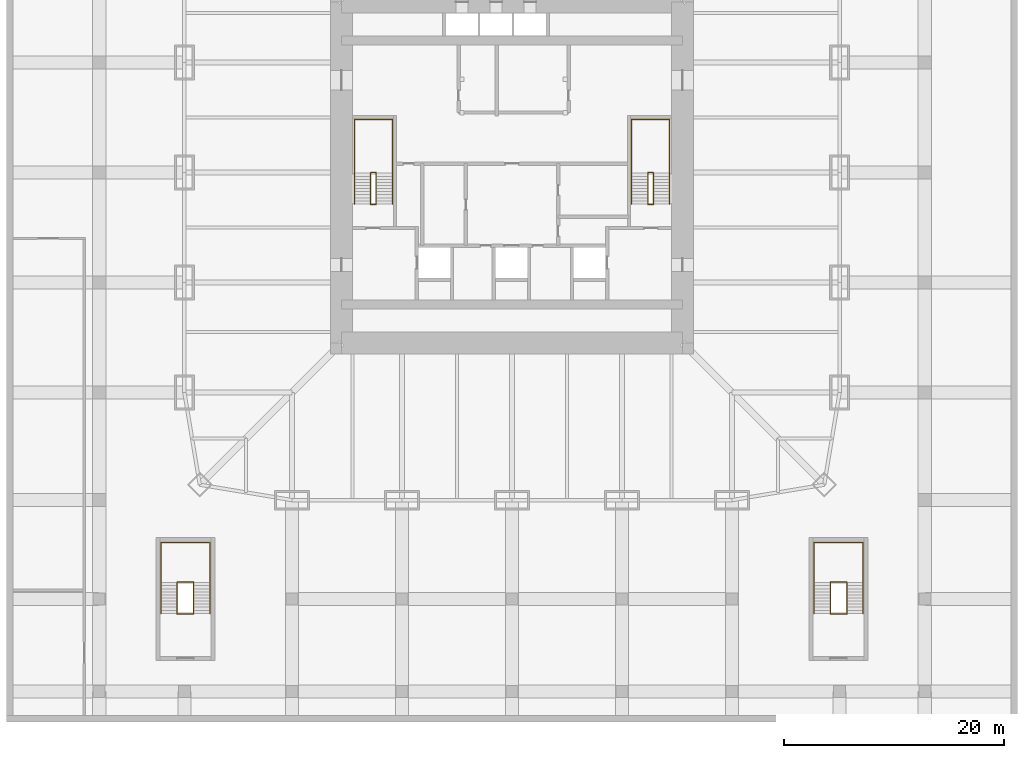
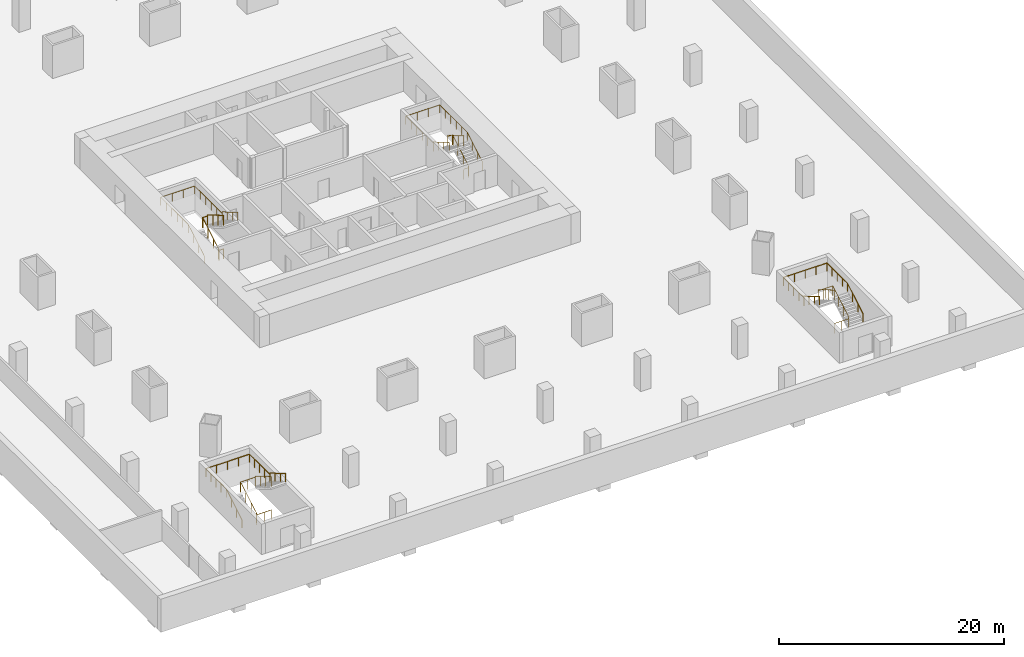
# One storey, part 10 of 11: 8 railings.
"""IFC4 building model written with IfcOpenShell, lengths in metres."""

import ifcopenshell
import ifcopenshell.guid

model = None  # the IFC model being written
_history = None  # IfcOwnerHistory: only IFC2X3 demands one
_inside = {}  # id of a spatial element -> (the spatial element, [elements in it])
_under = {}  # id of a project, library or spatial element -> (it, [spatial elements below it])
_declared = {}  # id of a project -> (the project, [libraries it declares])
_typed = {}  # id of a type object -> (the type object, [elements of that type])
_made_of = {}  # id of a material, layer set ... -> (it, [elements and type objects made of it])


def new_model(schema):
    """Start an empty IFC model of exactly this schema.

    Asked for "IFC4X3", IfcOpenShell would pick the latest addendum, in which some entities
    have other attributes; the version numbers below select the first issue.
    IFC2X3 requires an IfcOwnerHistory on every rooted entity: one is made here for all.
    """
    global model, _history
    if schema == "IFC4X3":
        model = ifcopenshell.file(schema_version=(4, 3, 0, 0))
    else:
        model = ifcopenshell.file(schema=schema)
    _inside.clear()
    _under.clear()
    _declared.clear()
    _typed.clear()
    _made_of.clear()
    _history = None
    if model.schema == "IFC2X3":
        org = make("IfcOrganization", Name="unknown")
        user = make(
            "IfcPersonAndOrganization",
            ThePerson=make("IfcPerson", FamilyName="unknown"),
            TheOrganization=org,
        )
        app = make(
            "IfcApplication",
            ApplicationDeveloper=org,
            Version="unknown",
            ApplicationFullName="unknown",
            ApplicationIdentifier="unknown",
        )
        _history = make(
            "IfcOwnerHistory",
            OwningUser=user,
            OwningApplication=app,
            ChangeAction="ADDED",
            CreationDate=0,
        )
    return model


def make(cls, **values):
    """One entity of the class cls with the attributes given. An attribute that is None is left unset."""
    return model.create_entity(
        cls, **{name: value for name, value in values.items() if value is not None}
    )


def rooted(cls, **values):
    """An entity with a GlobalId (a new one), such as an element, a storey or a relation."""
    return make(cls, GlobalId=ifcopenshell.guid.new(), OwnerHistory=_history, **values)


def si_unit(unit_type, name, prefix=None):
    """IfcSIUnit, for example si_unit("LENGTHUNIT", "METRE", prefix="MILLI")."""
    return make("IfcSIUnit", UnitType=unit_type, Prefix=prefix, Name=name)


def assignment(units):
    """IfcUnitAssignment: the units of a project."""
    return None if units is None else make("IfcUnitAssignment", Units=units)


def point(xyz):
    """IfcCartesianPoint."""
    return None if xyz is None else make("IfcCartesianPoint", Coordinates=xyz)


def direction(xyz):
    """IfcDirection."""
    return None if xyz is None else make("IfcDirection", DirectionRatios=xyz)


def frame(location, z_axis=None, x_axis=None):
    """IfcAxis2Placement3D, a coordinate frame: its origin and axes. An axis left out is left unset."""
    return make(
        "IfcAxis2Placement3D",
        Location=point(location),
        Axis=direction(z_axis),
        RefDirection=direction(x_axis),
    )


def frame_2d(location, x_axis=None):
    """IfcAxis2Placement2D, a coordinate frame in the plane: its origin and x axis."""
    return make(
        "IfcAxis2Placement2D", Location=point(location), RefDirection=direction(x_axis)
    )


def origin():
    """The frame at (0, 0, 0) with its axes left unset."""
    return frame((0.0, 0.0, 0.0))


def origin_2d():
    """The frame at (0, 0) in the plane with its x axis left unset."""
    return frame_2d((0.0, 0.0))


def place(relative_to, where):
    """IfcLocalPlacement: puts the frame where relative to a parent placement (None: the world)."""
    return make(
        "IfcLocalPlacement", PlacementRelTo=relative_to, RelativePlacement=where
    )


def context(
    kind, dimensions, precision=None, world=None, true_north=None, identifier=None
):
    """IfcGeometricRepresentationContext, for example the 3D "Model" context."""
    return make(
        "IfcGeometricRepresentationContext",
        ContextIdentifier=identifier,
        ContextType=kind,
        CoordinateSpaceDimension=dimensions,
        Precision=precision,
        WorldCoordinateSystem=world,
        TrueNorth=true_north,
    )


def subcontext(parent, identifier, kind, view, scale=None):
    """IfcGeometricRepresentationSubContext, for example "Body" below "Model"."""
    return make(
        "IfcGeometricRepresentationSubContext",
        ContextIdentifier=identifier,
        ContextType=kind,
        ParentContext=parent,
        TargetScale=scale,
        TargetView=view,
    )


def project(units=None, contexts=None):
    """IfcProject with its units and contexts."""
    return rooted(
        "IfcProject",
        Name="project",
        RepresentationContexts=contexts,
        UnitsInContext=assignment(units),
    )


def spatial(cls, under=None, at=None, **own):
    """A site, building, storey or space (cls), placed at a placement, below another one or the project."""
    s = rooted(cls, ObjectPlacement=at, **own)
    if under is not None:
        _under.setdefault(under.id(), (under, []))[1].append(s)
    return s


def profile(cls, at=None, kind="AREA", **sizes):
    """A parametric profile (cls). Its sizes go by their IFC names, for example OverallWidth=200.0."""
    return make(cls, ProfileType=kind, Position=at, **sizes)


def circle(**sizes):
    """IfcCircleProfileDef."""
    return profile("IfcCircleProfileDef", **sizes)


def extrude(swept, where, along, depth):
    """IfcExtrudedAreaSolid: the profile swept, set in the frame where, extruded along a direction by depth."""
    return make(
        "IfcExtrudedAreaSolid",
        SweptArea=swept,
        Position=where,
        ExtrudedDirection=direction(along),
        Depth=depth,
    )


def shape(context_of_items, identifier, shape_type, items):
    """IfcShapeRepresentation: the items that make up one representation, for example the "Body"."""
    return make(
        "IfcShapeRepresentation",
        ContextOfItems=context_of_items,
        RepresentationIdentifier=identifier,
        RepresentationType=shape_type,
        Items=items,
    )


def material(Name=None, Category=None):
    """IfcMaterial."""
    return make("IfcMaterial", Name=Name, Category=Category)


def made_of(thing, what):
    """Note that an element or type object is made of a material, layer set ...; save() writes the relation."""
    if what is not None:
        _made_of.setdefault(what.id(), (what, []))[1].append(thing)
    return thing


def type_object(cls, material=None, **own):
    """A type object (cls), such as IfcWallType, which elements share."""
    return made_of(rooted(cls, **own), material)


def element(
    cls,
    number,
    at=None,
    inside=None,
    cuts=None,
    type_object=None,
    material=None,
    context=None,
    identifier="Body",
    shape_type=None,
    held_by="IfcProductDefinitionShape",
    body=None,
    shapes=None,
    **own,
):
    """One element of the class cls, such as IfcWall. Its Tag is "e" and its number.

    at: its placement. inside: the storey or other place that contains it. cuts: it is an
    opening in that element (IfcRelVoidsElement). A single representation is given by context,
    identifier, shape_type and body (its items); several are given by shapes. held_by: the class
    of the entity that holds the representations. save() writes the other relations.
    """
    e = rooted(cls, Tag="e%d" % number, ObjectPlacement=at, **own)
    if body is not None:
        shapes = [shape(context, identifier, shape_type, body)]
    if shapes is not None:
        e.Representation = make(held_by, Representations=shapes)
    if inside is not None:
        _inside.setdefault(inside.id(), (inside, []))[1].append(e)
    if cuts is not None:
        rooted(
            "IfcRelVoidsElement", RelatingBuildingElement=cuts, RelatedOpeningElement=e
        )
    if type_object is not None:
        _typed.setdefault(type_object.id(), (type_object, []))[1].append(e)
    return made_of(e, material)


def aggregate(whole, parts):
    """IfcRelAggregates: a whole, such as a stair, and the parts it consists of."""
    return rooted("IfcRelAggregates", RelatingObject=whole, RelatedObjects=parts)


def save(model, path):
    """Write the relations noted so far, then the file.

    IfcRelAggregates (storeys below a building ...), IfcRelContainedInSpatialStructure (elements
    in a storey), IfcRelDefinesByType, IfcRelAssociatesMaterial and IfcRelDeclares: one each for
    every whole, place, type object, material and project.
    """
    for whole, parts in _under.values():
        aggregate(whole, parts)
    for where, things in _inside.values():
        rooted(
            "IfcRelContainedInSpatialStructure",
            RelatedElements=things,
            RelatingStructure=where,
        )
    for kind, things in _typed.values():
        rooted("IfcRelDefinesByType", RelatedObjects=things, RelatingType=kind)
    for what, things in _made_of.values():
        rooted("IfcRelAssociatesMaterial", RelatedObjects=things, RelatingMaterial=what)
    for by, libraries in _declared.values():
        rooted("IfcRelDeclares", RelatingContext=by, RelatedDefinitions=libraries)
    model.write(path)


model = new_model("IFC4")

# Units and contexts
model_context = context("Model", 3, precision=1e-05, world=origin(), true_north=direction((0.0, 1.0)))
body_context = subcontext(model_context, "Body", "Model", "MODEL_VIEW")
ifc_project = project(units=[si_unit("LENGTHUNIT", "METRE"), si_unit("AREAUNIT", "SQUARE_METRE"), si_unit("VOLUMEUNIT", "CUBIC_METRE"), si_unit("PLANEANGLEUNIT", "RADIAN"), si_unit("MASSUNIT", "GRAM", prefix="KILO")], contexts=[model_context])

# Site, building, storey
site_placement = place(None, origin())
site = spatial("IfcSite", under=ifc_project, at=site_placement, CompositionType="ELEMENT")
building_placement = place(site_placement, origin())
building = spatial("IfcBuilding", under=site, at=building_placement, Name="Khuree Lantern Residences", CompositionType="ELEMENT")
storey_placement = place(building_placement, frame((0.0, 0.0, -9.0)))
storey = spatial("IfcBuildingStorey", under=building, at=storey_placement, Name="B2", CompositionType="ELEMENT", Elevation=-9.0)

# Railings
ifc_material = material(Name="Steel S355", Category="steel")
railing_type_1 = type_object("IfcRailingType", Name="STAIR GUARD G1 1100", PredefinedType="GUARDRAIL", material=ifc_material)
railing_1_placement = place(storey_placement, frame((-12.35009765625, -2.909912109375, 0.0)))
element("IfcRailing", 1, at=railing_1_placement, inside=storey, type_object=railing_type_1, Name="Stair ST1 guard", PredefinedType="GUARDRAIL", context=body_context, shape_type="SweptSolid", body=[
    extrude(circle(Radius=0.02392578125, at=origin_2d()), frame((0.0, 0.0, 1.076171875), z_axis=(-1.0, 0.0, 0.0), x_axis=(0.0, -1.0, 0.0)), (0.0, 0.0, 1.0), 0.5),
    extrude(circle(Radius=0.02392578125, at=origin_2d()), frame((-0.5, 0.0, 1.076171875), z_axis=(0.0, 0.291275246449, 0.956639289809), x_axis=(-1.0, 0.0, 0.0)), (0.0, 0.0, 1.0), 0.1708984375),
    extrude(circle(Radius=0.02392578125, at=origin_2d()), frame((-0.5, 0.0498046875, 1.23974609375), z_axis=(0.0, 0.863360870873, 0.504586966384), x_axis=(-1.0, 0.0, 0.0)), (0.0, 0.0, 1.0), 3.2431640625),
    extrude(circle(Radius=0.02392578125, at=origin_2d()), frame((-0.5, 2.849853515625, 2.8759765625), z_axis=(0.0, 1.0, 0.0), x_axis=(-1.0, 0.0, 0.0)), (0.0, 0.0, 1.0), 0.050048828125),
    extrude(circle(Radius=0.02392578125, at=origin_2d()), frame((-0.5, 2.89990234375, 2.8759765625), z_axis=(1.0, 0.0, 0.0), x_axis=(0.0, 1.0, 0.0)), (0.0, 0.0, 1.0), 0.5),
    extrude(circle(Radius=0.02392578125, at=origin_2d()), frame((0.0, 2.89990234375, 2.8759765625), z_axis=(0.0, -0.292581112321, 0.956240708563), x_axis=(1.0, 0.0, 0.0)), (0.0, 0.0, 1.0), 0.171142578125),
    extrude(circle(Radius=0.02392578125, at=origin_2d()), frame((0.0, 2.849853515625, 3.03955078125), z_axis=(0.0, -0.863360870873, 0.504586966384), x_axis=(1.0, 0.0, 0.0)), (0.0, 0.0, 1.0), 3.2431640625),
    extrude(circle(Radius=0.02099609375, at=origin_2d()), origin(), (0.0, 0.0, 1.0), 1.052001953125),
    extrude(circle(Radius=0.02099609375, at=origin_2d()), frame((-0.5, 0.0, 0.0)), (0.0, 0.0, 1.0), 1.052001953125),
    extrude(circle(Radius=0.02099609375, at=origin_2d()), frame((-0.5, 0.0498046875, 0.16357421875)), (0.0, 0.0, 1.0), 1.052001953125),
    extrude(circle(Radius=0.02099609375, at=origin_2d()), frame((-0.5, 0.983154296875, 0.708984375)), (0.0, 0.0, 1.0), 1.052001953125),
    extrude(circle(Radius=0.02099609375, at=origin_2d()), frame((-0.5, 1.91650390625, 1.254638671875)), (0.0, 0.0, 1.0), 1.052001953125),
    extrude(circle(Radius=0.02099609375, at=origin_2d()), frame((-0.5, 2.849853515625, 1.800048828125)), (0.0, 0.0, 1.0), 1.052001953125),
    extrude(circle(Radius=0.02099609375, at=origin_2d()), frame((-0.5, 2.89990234375, 1.800048828125)), (0.0, 0.0, 1.0), 1.052001953125),
    extrude(circle(Radius=0.02099609375, at=origin_2d()), frame((0.0, 2.89990234375, 1.800048828125)), (0.0, 0.0, 1.0), 1.052001953125),
    extrude(circle(Radius=0.02099609375, at=origin_2d()), frame((0.0, 2.849853515625, 1.963623046875)), (0.0, 0.0, 1.0), 1.052001953125),
    extrude(circle(Radius=0.02099609375, at=origin_2d()), frame((0.0, 1.91650390625, 2.509033203125)), (0.0, 0.0, 1.0), 1.052001953125),
    extrude(circle(Radius=0.02099609375, at=origin_2d()), frame((0.0, 0.983154296875, 3.0546875)), (0.0, 0.0, 1.0), 1.052001953125),
    extrude(circle(Radius=0.02099609375, at=origin_2d()), frame((0.0, 0.0498046875, 3.60009765625)), (0.0, 0.0, 1.0), 1.052001953125),
])
railing_2_placement = place(storey_placement, frame((12.35009765625, -2.909912109375, 0.0)))
element("IfcRailing", 2, at=railing_2_placement, inside=storey, type_object=railing_type_1, Name="Stair ST2 guard", PredefinedType="GUARDRAIL", context=body_context, shape_type="SweptSolid", body=[
    extrude(circle(Radius=0.02392578125, at=origin_2d()), frame((0.0, 0.0, 1.076171875), z_axis=(1.0, 0.0, 0.0), x_axis=(0.0, 1.0, 0.0)), (0.0, 0.0, 1.0), 0.5),
    extrude(circle(Radius=0.02392578125, at=origin_2d()), frame((0.5, 0.0, 1.076171875), z_axis=(0.0, 0.291275246449, 0.956639289809), x_axis=(-1.0, 0.0, 0.0)), (0.0, 0.0, 1.0), 0.1708984375),
    extrude(circle(Radius=0.02392578125, at=origin_2d()), frame((0.5, 0.0498046875, 1.23974609375), z_axis=(0.0, 0.863360870873, 0.504586966384), x_axis=(-1.0, 0.0, 0.0)), (0.0, 0.0, 1.0), 3.2431640625),
    extrude(circle(Radius=0.02392578125, at=origin_2d()), frame((0.5, 2.849853515625, 2.8759765625), z_axis=(0.0, 1.0, 0.0), x_axis=(-1.0, 0.0, 0.0)), (0.0, 0.0, 1.0), 0.050048828125),
    extrude(circle(Radius=0.02392578125, at=origin_2d()), frame((0.5, 2.89990234375, 2.8759765625), z_axis=(-1.0, 0.0, 0.0), x_axis=(0.0, -1.0, 0.0)), (0.0, 0.0, 1.0), 0.5),
    extrude(circle(Radius=0.02392578125, at=origin_2d()), frame((0.0, 2.89990234375, 2.8759765625), z_axis=(0.0, -0.292581112321, 0.956240708563), x_axis=(1.0, 0.0, 0.0)), (0.0, 0.0, 1.0), 0.171142578125),
    extrude(circle(Radius=0.02392578125, at=origin_2d()), frame((0.0, 2.849853515625, 3.03955078125), z_axis=(0.0, -0.863360870873, 0.504586966384), x_axis=(1.0, 0.0, 0.0)), (0.0, 0.0, 1.0), 3.2431640625),
    extrude(circle(Radius=0.02099609375, at=origin_2d()), origin(), (0.0, 0.0, 1.0), 1.052001953125),
    extrude(circle(Radius=0.02099609375, at=origin_2d()), frame((0.5, 0.0, 0.0)), (0.0, 0.0, 1.0), 1.052001953125),
    extrude(circle(Radius=0.02099609375, at=origin_2d()), frame((0.5, 0.0498046875, 0.16357421875)), (0.0, 0.0, 1.0), 1.052001953125),
    extrude(circle(Radius=0.02099609375, at=origin_2d()), frame((0.5, 0.983154296875, 0.708984375)), (0.0, 0.0, 1.0), 1.052001953125),
    extrude(circle(Radius=0.02099609375, at=origin_2d()), frame((0.5, 1.91650390625, 1.254638671875)), (0.0, 0.0, 1.0), 1.052001953125),
    extrude(circle(Radius=0.02099609375, at=origin_2d()), frame((0.5, 2.849853515625, 1.800048828125)), (0.0, 0.0, 1.0), 1.052001953125),
    extrude(circle(Radius=0.02099609375, at=origin_2d()), frame((0.5, 2.89990234375, 1.800048828125)), (0.0, 0.0, 1.0), 1.052001953125),
    extrude(circle(Radius=0.02099609375, at=origin_2d()), frame((0.0, 2.89990234375, 1.800048828125)), (0.0, 0.0, 1.0), 1.052001953125),
    extrude(circle(Radius=0.02099609375, at=origin_2d()), frame((0.0, 2.849853515625, 1.963623046875)), (0.0, 0.0, 1.0), 1.052001953125),
    extrude(circle(Radius=0.02099609375, at=origin_2d()), frame((0.0, 1.91650390625, 2.509033203125)), (0.0, 0.0, 1.0), 1.052001953125),
    extrude(circle(Radius=0.02099609375, at=origin_2d()), frame((0.0, 0.983154296875, 3.0546875)), (0.0, 0.0, 1.0), 1.052001953125),
    extrude(circle(Radius=0.02099609375, at=origin_2d()), frame((0.0, 0.0498046875, 3.60009765625)), (0.0, 0.0, 1.0), 1.052001953125),
])
railing_3_placement = place(storey_placement, frame((-28.949951171875, -40.14990234375, 0.0)))
element("IfcRailing", 3, at=railing_3_placement, inside=storey, type_object=railing_type_1, Name="Stair ST5 guard", PredefinedType="GUARDRAIL", context=body_context, shape_type="SweptSolid", body=[
    extrude(circle(Radius=0.02392578125, at=origin_2d()), frame((0.0, 0.0, 1.076171875), z_axis=(-1.0, 0.0, 0.0), x_axis=(0.0, -1.0, 0.0)), (0.0, 0.0, 1.0), 1.5),
    extrude(circle(Radius=0.02392578125, at=origin_2d()), frame((-1.5, 0.0, 1.076171875), z_axis=(0.0, 0.291275246449, 0.956639289809), x_axis=(-1.0, 0.0, 0.0)), (0.0, 0.0, 1.0), 0.1708984375),
    extrude(circle(Radius=0.02392578125, at=origin_2d()), frame((-1.5, 0.0498046875, 1.23974609375), z_axis=(0.0, 0.863360870873, 0.504586966384), x_axis=(-1.0, 0.0, 0.0)), (0.0, 0.0, 1.0), 3.2431640625),
    extrude(circle(Radius=0.02392578125, at=origin_2d()), frame((-1.5, 2.849853515625, 2.8759765625), z_axis=(0.0, 1.0, 0.0), x_axis=(-1.0, 0.0, 0.0)), (0.0, 0.0, 1.0), 0.050048828125),
    extrude(circle(Radius=0.02392578125, at=origin_2d()), frame((-1.5, 2.89990234375, 2.8759765625), z_axis=(1.0, 0.0, 0.0), x_axis=(0.0, 1.0, 0.0)), (0.0, 0.0, 1.0), 1.5),
    extrude(circle(Radius=0.02392578125, at=origin_2d()), frame((0.0, 2.89990234375, 2.8759765625), z_axis=(0.0, -0.292581112321, 0.956240708563), x_axis=(1.0, 0.0, 0.0)), (0.0, 0.0, 1.0), 0.171142578125),
    extrude(circle(Radius=0.02392578125, at=origin_2d()), frame((0.0, 2.849853515625, 3.03955078125), z_axis=(0.0, -0.863360870873, 0.504586966384), x_axis=(1.0, 0.0, 0.0)), (0.0, 0.0, 1.0), 3.2431640625),
    extrude(circle(Radius=0.02099609375, at=origin_2d()), origin(), (0.0, 0.0, 1.0), 1.052001953125),
    extrude(circle(Radius=0.02099609375, at=origin_2d()), frame((-0.75, 0.0, 0.0)), (0.0, 0.0, 1.0), 1.052001953125),
    extrude(circle(Radius=0.02099609375, at=origin_2d()), frame((-1.5, 0.0, 0.0)), (0.0, 0.0, 1.0), 1.052001953125),
    extrude(circle(Radius=0.02099609375, at=origin_2d()), frame((-1.5, 0.0498046875, 0.16357421875)), (0.0, 0.0, 1.0), 1.052001953125),
    extrude(circle(Radius=0.02099609375, at=origin_2d()), frame((-1.5, 0.983154296875, 0.708984375)), (0.0, 0.0, 1.0), 1.052001953125),
    extrude(circle(Radius=0.02099609375, at=origin_2d()), frame((-1.5, 1.91650390625, 1.254638671875)), (0.0, 0.0, 1.0), 1.052001953125),
    extrude(circle(Radius=0.02099609375, at=origin_2d()), frame((-1.5, 2.849853515625, 1.800048828125)), (0.0, 0.0, 1.0), 1.052001953125),
    extrude(circle(Radius=0.02099609375, at=origin_2d()), frame((-1.5, 2.89990234375, 1.800048828125)), (0.0, 0.0, 1.0), 1.052001953125),
    extrude(circle(Radius=0.02099609375, at=origin_2d()), frame((-0.75, 2.89990234375, 1.800048828125)), (0.0, 0.0, 1.0), 1.052001953125),
    extrude(circle(Radius=0.02099609375, at=origin_2d()), frame((0.0, 2.89990234375, 1.800048828125)), (0.0, 0.0, 1.0), 1.052001953125),
    extrude(circle(Radius=0.02099609375, at=origin_2d()), frame((0.0, 2.849853515625, 1.963623046875)), (0.0, 0.0, 1.0), 1.052001953125),
    extrude(circle(Radius=0.02099609375, at=origin_2d()), frame((0.0, 1.91650390625, 2.509033203125)), (0.0, 0.0, 1.0), 1.052001953125),
    extrude(circle(Radius=0.02099609375, at=origin_2d()), frame((0.0, 0.983154296875, 3.0546875)), (0.0, 0.0, 1.0), 1.052001953125),
    extrude(circle(Radius=0.02099609375, at=origin_2d()), frame((0.0, 0.0498046875, 3.60009765625)), (0.0, 0.0, 1.0), 1.052001953125),
])
railing_4_placement = place(storey_placement, frame((28.949951171875, -40.14990234375, 0.0)))
element("IfcRailing", 4, at=railing_4_placement, inside=storey, type_object=railing_type_1, Name="Stair ST6 guard", PredefinedType="GUARDRAIL", context=body_context, shape_type="SweptSolid", body=[
    extrude(circle(Radius=0.02392578125, at=origin_2d()), frame((0.0, 0.0, 1.076171875), z_axis=(1.0, 0.0, 0.0), x_axis=(0.0, 1.0, 0.0)), (0.0, 0.0, 1.0), 1.5),
    extrude(circle(Radius=0.02392578125, at=origin_2d()), frame((1.5, 0.0, 1.076171875), z_axis=(0.0, 0.291275246449, 0.956639289809), x_axis=(-1.0, 0.0, 0.0)), (0.0, 0.0, 1.0), 0.1708984375),
    extrude(circle(Radius=0.02392578125, at=origin_2d()), frame((1.5, 0.0498046875, 1.23974609375), z_axis=(0.0, 0.863360870873, 0.504586966384), x_axis=(-1.0, 0.0, 0.0)), (0.0, 0.0, 1.0), 3.2431640625),
    extrude(circle(Radius=0.02392578125, at=origin_2d()), frame((1.5, 2.849853515625, 2.8759765625), z_axis=(0.0, 1.0, 0.0), x_axis=(-1.0, 0.0, 0.0)), (0.0, 0.0, 1.0), 0.050048828125),
    extrude(circle(Radius=0.02392578125, at=origin_2d()), frame((1.5, 2.89990234375, 2.8759765625), z_axis=(-1.0, 0.0, 0.0), x_axis=(0.0, -1.0, 0.0)), (0.0, 0.0, 1.0), 1.5),
    extrude(circle(Radius=0.02392578125, at=origin_2d()), frame((0.0, 2.89990234375, 2.8759765625), z_axis=(0.0, -0.292581112321, 0.956240708563), x_axis=(1.0, 0.0, 0.0)), (0.0, 0.0, 1.0), 0.171142578125),
    extrude(circle(Radius=0.02392578125, at=origin_2d()), frame((0.0, 2.849853515625, 3.03955078125), z_axis=(0.0, -0.863360870873, 0.504586966384), x_axis=(1.0, 0.0, 0.0)), (0.0, 0.0, 1.0), 3.2431640625),
    extrude(circle(Radius=0.02099609375, at=origin_2d()), origin(), (0.0, 0.0, 1.0), 1.052001953125),
    extrude(circle(Radius=0.02099609375, at=origin_2d()), frame((0.75, 0.0, 0.0)), (0.0, 0.0, 1.0), 1.052001953125),
    extrude(circle(Radius=0.02099609375, at=origin_2d()), frame((1.5, 0.0, 0.0)), (0.0, 0.0, 1.0), 1.052001953125),
    extrude(circle(Radius=0.02099609375, at=origin_2d()), frame((1.5, 0.0498046875, 0.16357421875)), (0.0, 0.0, 1.0), 1.052001953125),
    extrude(circle(Radius=0.02099609375, at=origin_2d()), frame((1.5, 0.983154296875, 0.708984375)), (0.0, 0.0, 1.0), 1.052001953125),
    extrude(circle(Radius=0.02099609375, at=origin_2d()), frame((1.5, 1.91650390625, 1.254638671875)), (0.0, 0.0, 1.0), 1.052001953125),
    extrude(circle(Radius=0.02099609375, at=origin_2d()), frame((1.5, 2.849853515625, 1.800048828125)), (0.0, 0.0, 1.0), 1.052001953125),
    extrude(circle(Radius=0.02099609375, at=origin_2d()), frame((1.5, 2.89990234375, 1.800048828125)), (0.0, 0.0, 1.0), 1.052001953125),
    extrude(circle(Radius=0.02099609375, at=origin_2d()), frame((0.75, 2.89990234375, 1.800048828125)), (0.0, 0.0, 1.0), 1.052001953125),
    extrude(circle(Radius=0.02099609375, at=origin_2d()), frame((0.0, 2.89990234375, 1.800048828125)), (0.0, 0.0, 1.0), 1.052001953125),
    extrude(circle(Radius=0.02099609375, at=origin_2d()), frame((0.0, 2.849853515625, 1.963623046875)), (0.0, 0.0, 1.0), 1.052001953125),
    extrude(circle(Radius=0.02099609375, at=origin_2d()), frame((0.0, 1.91650390625, 2.509033203125)), (0.0, 0.0, 1.0), 1.052001953125),
    extrude(circle(Radius=0.02099609375, at=origin_2d()), frame((0.0, 0.983154296875, 3.0546875)), (0.0, 0.0, 1.0), 1.052001953125),
    extrude(circle(Radius=0.02099609375, at=origin_2d()), frame((0.0, 0.0498046875, 3.60009765625)), (0.0, 0.0, 1.0), 1.052001953125),
])
railing_type_2 = type_object("IfcRailingType", Name="STAIR HANDRAIL H1 900", PredefinedType="HANDRAIL", material=ifc_material)
railing_5_placement = place(storey_placement, frame((-14.340087890625, -2.860107421875, 0.16357421875)))
element("IfcRailing", 5, at=railing_5_placement, inside=storey, type_object=railing_type_2, Name="Stair ST1 handrail", PredefinedType="HANDRAIL", context=body_context, shape_type="SweptSolid", body=[
    extrude(circle(Radius=0.02392578125, at=origin_2d()), frame((0.0, 0.0, 0.8759765625), z_axis=(0.0, 0.863360870873, 0.504586966384), x_axis=(-1.0, 0.0, 0.0)), (0.0, 0.0, 1.0), 3.2431640625),
    extrude(circle(Radius=0.02392578125, at=origin_2d()), frame((0.0, 2.800048828125, 2.51220703125), z_axis=(0.0, 1.0, 0.0), x_axis=(-1.0, 0.0, 0.0)), (0.0, 0.0, 1.0), 4.900146484375),
    extrude(circle(Radius=0.02392578125, at=origin_2d()), frame((0.0, 7.7001953125, 2.51220703125), z_axis=(1.0, 0.0, 0.0), x_axis=(0.0, 1.0, 0.0)), (0.0, 0.0, 1.0), 3.47998046875),
    extrude(circle(Radius=0.02392578125, at=origin_2d()), frame((3.47998046875, 7.7001953125, 2.51220703125), z_axis=(0.0, -1.0, 0.0), x_axis=(1.0, 0.0, 0.0)), (0.0, 0.0, 1.0), 4.900146484375),
    extrude(circle(Radius=0.02392578125, at=origin_2d()), frame((3.47998046875, 2.800048828125, 2.51220703125), z_axis=(0.0, 0.0, 1.0), x_axis=(1.0, 0.0, 0.0)), (0.0, 0.0, 1.0), 0.16357421875),
    extrude(circle(Radius=0.02392578125, at=origin_2d()), frame((3.47998046875, 2.800048828125, 2.67578125), z_axis=(0.0, -0.863360870873, 0.504586966384), x_axis=(1.0, 0.0, 0.0)), (0.0, 0.0, 1.0), 3.2431640625),
    extrude(circle(Radius=0.02099609375, at=origin_2d()), origin(), (0.0, 0.0, 1.0), 0.851806640625),
    extrude(circle(Radius=0.02099609375, at=origin_2d()), frame((0.0, 0.933349609375, 0.54541015625)), (0.0, 0.0, 1.0), 0.851806640625),
    extrude(circle(Radius=0.02099609375, at=origin_2d()), frame((0.0, 1.86669921875, 1.091064453125)), (0.0, 0.0, 1.0), 0.851806640625),
    extrude(circle(Radius=0.02099609375, at=origin_2d()), frame((0.0, 2.800048828125, 1.636474609375)), (0.0, 0.0, 1.0), 0.851806640625),
    extrude(circle(Radius=0.02099609375, at=origin_2d()), frame((0.0, 3.780029296875, 1.636474609375)), (0.0, 0.0, 1.0), 0.851806640625),
    extrude(circle(Radius=0.02099609375, at=origin_2d()), frame((0.0, 4.760009765625, 1.636474609375)), (0.0, 0.0, 1.0), 0.851806640625),
    extrude(circle(Radius=0.02099609375, at=origin_2d()), frame((0.0, 5.740234375, 1.636474609375)), (0.0, 0.0, 1.0), 0.851806640625),
    extrude(circle(Radius=0.02099609375, at=origin_2d()), frame((0.0, 6.72021484375, 1.636474609375)), (0.0, 0.0, 1.0), 0.851806640625),
    extrude(circle(Radius=0.02099609375, at=origin_2d()), frame((0.0, 7.7001953125, 1.636474609375)), (0.0, 0.0, 1.0), 0.851806640625),
    extrude(circle(Radius=0.02099609375, at=origin_2d()), frame((1.159912109375, 7.7001953125, 1.636474609375)), (0.0, 0.0, 1.0), 0.851806640625),
    extrude(circle(Radius=0.02099609375, at=origin_2d()), frame((2.320068359375, 7.7001953125, 1.636474609375)), (0.0, 0.0, 1.0), 0.851806640625),
    extrude(circle(Radius=0.02099609375, at=origin_2d()), frame((3.47998046875, 7.7001953125, 1.636474609375)), (0.0, 0.0, 1.0), 0.851806640625),
    extrude(circle(Radius=0.02099609375, at=origin_2d()), frame((3.47998046875, 6.72021484375, 1.636474609375)), (0.0, 0.0, 1.0), 0.851806640625),
    extrude(circle(Radius=0.02099609375, at=origin_2d()), frame((3.47998046875, 5.740234375, 1.636474609375)), (0.0, 0.0, 1.0), 0.851806640625),
    extrude(circle(Radius=0.02099609375, at=origin_2d()), frame((3.47998046875, 4.760009765625, 1.636474609375)), (0.0, 0.0, 1.0), 0.851806640625),
    extrude(circle(Radius=0.02099609375, at=origin_2d()), frame((3.47998046875, 3.780029296875, 1.636474609375)), (0.0, 0.0, 1.0), 0.851806640625),
    extrude(circle(Radius=0.02099609375, at=origin_2d()), frame((3.47998046875, 2.800048828125, 1.636474609375)), (0.0, 0.0, 1.0), 0.851806640625),
    extrude(circle(Radius=0.02099609375, at=origin_2d()), frame((3.47998046875, 2.800048828125, 1.800048828125)), (0.0, 0.0, 1.0), 0.851806640625),
    extrude(circle(Radius=0.02099609375, at=origin_2d()), frame((3.47998046875, 1.86669921875, 2.345458984375)), (0.0, 0.0, 1.0), 0.851806640625),
    extrude(circle(Radius=0.02099609375, at=origin_2d()), frame((3.47998046875, 0.933349609375, 2.89111328125)), (0.0, 0.0, 1.0), 0.851806640625),
    extrude(circle(Radius=0.02099609375, at=origin_2d()), frame((3.47998046875, 0.0, 3.4365234375)), (0.0, 0.0, 1.0), 0.851806640625),
])
railing_6_placement = place(storey_placement, frame((14.340087890625, -2.860107421875, 0.16357421875)))
element("IfcRailing", 6, at=railing_6_placement, inside=storey, type_object=railing_type_2, Name="Stair ST2 handrail", PredefinedType="HANDRAIL", context=body_context, shape_type="SweptSolid", body=[
    extrude(circle(Radius=0.02392578125, at=origin_2d()), frame((0.0, 0.0, 0.8759765625), z_axis=(0.0, 0.863360870873, 0.504586966384), x_axis=(-1.0, 0.0, 0.0)), (0.0, 0.0, 1.0), 3.2431640625),
    extrude(circle(Radius=0.02392578125, at=origin_2d()), frame((0.0, 2.800048828125, 2.51220703125), z_axis=(0.0, 1.0, 0.0), x_axis=(-1.0, 0.0, 0.0)), (0.0, 0.0, 1.0), 4.900146484375),
    extrude(circle(Radius=0.02392578125, at=origin_2d()), frame((0.0, 7.7001953125, 2.51220703125), z_axis=(-1.0, 0.0, 0.0), x_axis=(0.0, -1.0, 0.0)), (0.0, 0.0, 1.0), 3.47998046875),
    extrude(circle(Radius=0.02392578125, at=origin_2d()), frame((-3.47998046875, 7.7001953125, 2.51220703125), z_axis=(0.0, -1.0, 0.0), x_axis=(1.0, 0.0, 0.0)), (0.0, 0.0, 1.0), 4.900146484375),
    extrude(circle(Radius=0.02392578125, at=origin_2d()), frame((-3.47998046875, 2.800048828125, 2.51220703125), z_axis=(0.0, 0.0, 1.0), x_axis=(1.0, 0.0, 0.0)), (0.0, 0.0, 1.0), 0.16357421875),
    extrude(circle(Radius=0.02392578125, at=origin_2d()), frame((-3.47998046875, 2.800048828125, 2.67578125), z_axis=(0.0, -0.863360870873, 0.504586966384), x_axis=(1.0, 0.0, 0.0)), (0.0, 0.0, 1.0), 3.2431640625),
    extrude(circle(Radius=0.02099609375, at=origin_2d()), origin(), (0.0, 0.0, 1.0), 0.851806640625),
    extrude(circle(Radius=0.02099609375, at=origin_2d()), frame((0.0, 0.933349609375, 0.54541015625)), (0.0, 0.0, 1.0), 0.851806640625),
    extrude(circle(Radius=0.02099609375, at=origin_2d()), frame((0.0, 1.86669921875, 1.091064453125)), (0.0, 0.0, 1.0), 0.851806640625),
    extrude(circle(Radius=0.02099609375, at=origin_2d()), frame((0.0, 2.800048828125, 1.636474609375)), (0.0, 0.0, 1.0), 0.851806640625),
    extrude(circle(Radius=0.02099609375, at=origin_2d()), frame((0.0, 3.780029296875, 1.636474609375)), (0.0, 0.0, 1.0), 0.851806640625),
    extrude(circle(Radius=0.02099609375, at=origin_2d()), frame((0.0, 4.760009765625, 1.636474609375)), (0.0, 0.0, 1.0), 0.851806640625),
    extrude(circle(Radius=0.02099609375, at=origin_2d()), frame((0.0, 5.740234375, 1.636474609375)), (0.0, 0.0, 1.0), 0.851806640625),
    extrude(circle(Radius=0.02099609375, at=origin_2d()), frame((0.0, 6.72021484375, 1.636474609375)), (0.0, 0.0, 1.0), 0.851806640625),
    extrude(circle(Radius=0.02099609375, at=origin_2d()), frame((0.0, 7.7001953125, 1.636474609375)), (0.0, 0.0, 1.0), 0.851806640625),
    extrude(circle(Radius=0.02099609375, at=origin_2d()), frame((-1.159912109375, 7.7001953125, 1.636474609375)), (0.0, 0.0, 1.0), 0.851806640625),
    extrude(circle(Radius=0.02099609375, at=origin_2d()), frame((-2.320068359375, 7.7001953125, 1.636474609375)), (0.0, 0.0, 1.0), 0.851806640625),
    extrude(circle(Radius=0.02099609375, at=origin_2d()), frame((-3.47998046875, 7.7001953125, 1.636474609375)), (0.0, 0.0, 1.0), 0.851806640625),
    extrude(circle(Radius=0.02099609375, at=origin_2d()), frame((-3.47998046875, 6.72021484375, 1.636474609375)), (0.0, 0.0, 1.0), 0.851806640625),
    extrude(circle(Radius=0.02099609375, at=origin_2d()), frame((-3.47998046875, 5.740234375, 1.636474609375)), (0.0, 0.0, 1.0), 0.851806640625),
    extrude(circle(Radius=0.02099609375, at=origin_2d()), frame((-3.47998046875, 4.760009765625, 1.636474609375)), (0.0, 0.0, 1.0), 0.851806640625),
    extrude(circle(Radius=0.02099609375, at=origin_2d()), frame((-3.47998046875, 3.780029296875, 1.636474609375)), (0.0, 0.0, 1.0), 0.851806640625),
    extrude(circle(Radius=0.02099609375, at=origin_2d()), frame((-3.47998046875, 2.800048828125, 1.636474609375)), (0.0, 0.0, 1.0), 0.851806640625),
    extrude(circle(Radius=0.02099609375, at=origin_2d()), frame((-3.47998046875, 2.800048828125, 1.800048828125)), (0.0, 0.0, 1.0), 0.851806640625),
    extrude(circle(Radius=0.02099609375, at=origin_2d()), frame((-3.47998046875, 1.86669921875, 2.345458984375)), (0.0, 0.0, 1.0), 0.851806640625),
    extrude(circle(Radius=0.02099609375, at=origin_2d()), frame((-3.47998046875, 0.933349609375, 2.89111328125)), (0.0, 0.0, 1.0), 0.851806640625),
    extrude(circle(Radius=0.02099609375, at=origin_2d()), frame((-3.47998046875, 0.0, 3.4365234375)), (0.0, 0.0, 1.0), 0.851806640625),
])
railing_7_placement = place(storey_placement, frame((-31.93994140625, -40.10009765625, 0.16357421875)))
element("IfcRailing", 7, at=railing_7_placement, inside=storey, type_object=railing_type_2, Name="Stair ST5 handrail", PredefinedType="HANDRAIL", context=body_context, shape_type="SweptSolid", body=[
    extrude(circle(Radius=0.02392578125, at=origin_2d()), frame((0.0, 0.0, 0.8759765625), z_axis=(0.0, 0.863360870873, 0.504586966384), x_axis=(-1.0, 0.0, 0.0)), (0.0, 0.0, 1.0), 3.2431640625),
    extrude(circle(Radius=0.02392578125, at=origin_2d()), frame((0.0, 2.800048828125, 2.51220703125), z_axis=(0.0, 1.0, 0.0), x_axis=(-1.0, 0.0, 0.0)), (0.0, 0.0, 1.0), 3.64013671875),
    extrude(circle(Radius=0.02392578125, at=origin_2d()), frame((0.0, 6.440185546875, 2.51220703125), z_axis=(1.0, 0.0, 0.0), x_axis=(0.0, 1.0, 0.0)), (0.0, 0.0, 1.0), 4.47998046875),
    extrude(circle(Radius=0.02392578125, at=origin_2d()), frame((4.47998046875, 6.440185546875, 2.51220703125), z_axis=(0.0, -1.0, 0.0), x_axis=(1.0, 0.0, 0.0)), (0.0, 0.0, 1.0), 3.64013671875),
    extrude(circle(Radius=0.02392578125, at=origin_2d()), frame((4.47998046875, 2.800048828125, 2.51220703125), z_axis=(0.0, 0.0, 1.0), x_axis=(1.0, 0.0, 0.0)), (0.0, 0.0, 1.0), 0.16357421875),
    extrude(circle(Radius=0.02392578125, at=origin_2d()), frame((4.47998046875, 2.800048828125, 2.67578125), z_axis=(0.0, -0.863360870873, 0.504586966384), x_axis=(1.0, 0.0, 0.0)), (0.0, 0.0, 1.0), 3.2431640625),
    extrude(circle(Radius=0.02099609375, at=origin_2d()), origin(), (0.0, 0.0, 1.0), 0.851806640625),
    extrude(circle(Radius=0.02099609375, at=origin_2d()), frame((0.0, 0.933349609375, 0.54541015625)), (0.0, 0.0, 1.0), 0.851806640625),
    extrude(circle(Radius=0.02099609375, at=origin_2d()), frame((0.0, 1.86669921875, 1.091064453125)), (0.0, 0.0, 1.0), 0.851806640625),
    extrude(circle(Radius=0.02099609375, at=origin_2d()), frame((0.0, 2.800048828125, 1.636474609375)), (0.0, 0.0, 1.0), 0.851806640625),
    extrude(circle(Radius=0.02099609375, at=origin_2d()), frame((0.0, 3.7099609375, 1.636474609375)), (0.0, 0.0, 1.0), 0.851806640625),
    extrude(circle(Radius=0.02099609375, at=origin_2d()), frame((0.0, 4.6201171875, 1.636474609375)), (0.0, 0.0, 1.0), 0.851806640625),
    extrude(circle(Radius=0.02099609375, at=origin_2d()), frame((0.0, 5.5302734375, 1.636474609375)), (0.0, 0.0, 1.0), 0.851806640625),
    extrude(circle(Radius=0.02099609375, at=origin_2d()), frame((0.0, 6.440185546875, 1.636474609375)), (0.0, 0.0, 1.0), 0.851806640625),
    extrude(circle(Radius=0.02099609375, at=origin_2d()), frame((1.1201171875, 6.440185546875, 1.636474609375)), (0.0, 0.0, 1.0), 0.851806640625),
    extrude(circle(Radius=0.02099609375, at=origin_2d()), frame((2.239990234375, 6.440185546875, 1.636474609375)), (0.0, 0.0, 1.0), 0.851806640625),
    extrude(circle(Radius=0.02099609375, at=origin_2d()), frame((3.35986328125, 6.440185546875, 1.636474609375)), (0.0, 0.0, 1.0), 0.851806640625),
    extrude(circle(Radius=0.02099609375, at=origin_2d()), frame((4.47998046875, 6.440185546875, 1.636474609375)), (0.0, 0.0, 1.0), 0.851806640625),
    extrude(circle(Radius=0.02099609375, at=origin_2d()), frame((4.47998046875, 5.5302734375, 1.636474609375)), (0.0, 0.0, 1.0), 0.851806640625),
    extrude(circle(Radius=0.02099609375, at=origin_2d()), frame((4.47998046875, 4.6201171875, 1.636474609375)), (0.0, 0.0, 1.0), 0.851806640625),
    extrude(circle(Radius=0.02099609375, at=origin_2d()), frame((4.47998046875, 3.7099609375, 1.636474609375)), (0.0, 0.0, 1.0), 0.851806640625),
    extrude(circle(Radius=0.02099609375, at=origin_2d()), frame((4.47998046875, 2.800048828125, 1.636474609375)), (0.0, 0.0, 1.0), 0.851806640625),
    extrude(circle(Radius=0.02099609375, at=origin_2d()), frame((4.47998046875, 2.800048828125, 1.800048828125)), (0.0, 0.0, 1.0), 0.851806640625),
    extrude(circle(Radius=0.02099609375, at=origin_2d()), frame((4.47998046875, 1.86669921875, 2.345458984375)), (0.0, 0.0, 1.0), 0.851806640625),
    extrude(circle(Radius=0.02099609375, at=origin_2d()), frame((4.47998046875, 0.933349609375, 2.89111328125)), (0.0, 0.0, 1.0), 0.851806640625),
    extrude(circle(Radius=0.02099609375, at=origin_2d()), frame((4.47998046875, 0.0, 3.4365234375)), (0.0, 0.0, 1.0), 0.851806640625),
])
railing_8_placement = place(storey_placement, frame((31.93994140625, -40.10009765625, 0.16357421875)))
element("IfcRailing", 8, at=railing_8_placement, inside=storey, type_object=railing_type_2, Name="Stair ST6 handrail", PredefinedType="HANDRAIL", context=body_context, shape_type="SweptSolid", body=[
    extrude(circle(Radius=0.02392578125, at=origin_2d()), frame((0.0, 0.0, 0.8759765625), z_axis=(0.0, 0.863360870873, 0.504586966384), x_axis=(-1.0, 0.0, 0.0)), (0.0, 0.0, 1.0), 3.2431640625),
    extrude(circle(Radius=0.02392578125, at=origin_2d()), frame((0.0, 2.800048828125, 2.51220703125), z_axis=(0.0, 1.0, 0.0), x_axis=(-1.0, 0.0, 0.0)), (0.0, 0.0, 1.0), 3.64013671875),
    extrude(circle(Radius=0.02392578125, at=origin_2d()), frame((0.0, 6.440185546875, 2.51220703125), z_axis=(-1.0, 0.0, 0.0), x_axis=(0.0, -1.0, 0.0)), (0.0, 0.0, 1.0), 4.47998046875),
    extrude(circle(Radius=0.02392578125, at=origin_2d()), frame((-4.47998046875, 6.440185546875, 2.51220703125), z_axis=(0.0, -1.0, 0.0), x_axis=(1.0, 0.0, 0.0)), (0.0, 0.0, 1.0), 3.64013671875),
    extrude(circle(Radius=0.02392578125, at=origin_2d()), frame((-4.47998046875, 2.800048828125, 2.51220703125), z_axis=(0.0, 0.0, 1.0), x_axis=(1.0, 0.0, 0.0)), (0.0, 0.0, 1.0), 0.16357421875),
    extrude(circle(Radius=0.02392578125, at=origin_2d()), frame((-4.47998046875, 2.800048828125, 2.67578125), z_axis=(0.0, -0.863360870873, 0.504586966384), x_axis=(1.0, 0.0, 0.0)), (0.0, 0.0, 1.0), 3.2431640625),
    extrude(circle(Radius=0.02099609375, at=origin_2d()), origin(), (0.0, 0.0, 1.0), 0.851806640625),
    extrude(circle(Radius=0.02099609375, at=origin_2d()), frame((0.0, 0.933349609375, 0.54541015625)), (0.0, 0.0, 1.0), 0.851806640625),
    extrude(circle(Radius=0.02099609375, at=origin_2d()), frame((0.0, 1.86669921875, 1.091064453125)), (0.0, 0.0, 1.0), 0.851806640625),
    extrude(circle(Radius=0.02099609375, at=origin_2d()), frame((0.0, 2.800048828125, 1.636474609375)), (0.0, 0.0, 1.0), 0.851806640625),
    extrude(circle(Radius=0.02099609375, at=origin_2d()), frame((0.0, 3.7099609375, 1.636474609375)), (0.0, 0.0, 1.0), 0.851806640625),
    extrude(circle(Radius=0.02099609375, at=origin_2d()), frame((0.0, 4.6201171875, 1.636474609375)), (0.0, 0.0, 1.0), 0.851806640625),
    extrude(circle(Radius=0.02099609375, at=origin_2d()), frame((0.0, 5.5302734375, 1.636474609375)), (0.0, 0.0, 1.0), 0.851806640625),
    extrude(circle(Radius=0.02099609375, at=origin_2d()), frame((0.0, 6.440185546875, 1.636474609375)), (0.0, 0.0, 1.0), 0.851806640625),
    extrude(circle(Radius=0.02099609375, at=origin_2d()), frame((-1.1201171875, 6.440185546875, 1.636474609375)), (0.0, 0.0, 1.0), 0.851806640625),
    extrude(circle(Radius=0.02099609375, at=origin_2d()), frame((-2.239990234375, 6.440185546875, 1.636474609375)), (0.0, 0.0, 1.0), 0.851806640625),
    extrude(circle(Radius=0.02099609375, at=origin_2d()), frame((-3.35986328125, 6.440185546875, 1.636474609375)), (0.0, 0.0, 1.0), 0.851806640625),
    extrude(circle(Radius=0.02099609375, at=origin_2d()), frame((-4.47998046875, 6.440185546875, 1.636474609375)), (0.0, 0.0, 1.0), 0.851806640625),
    extrude(circle(Radius=0.02099609375, at=origin_2d()), frame((-4.47998046875, 5.5302734375, 1.636474609375)), (0.0, 0.0, 1.0), 0.851806640625),
    extrude(circle(Radius=0.02099609375, at=origin_2d()), frame((-4.47998046875, 4.6201171875, 1.636474609375)), (0.0, 0.0, 1.0), 0.851806640625),
    extrude(circle(Radius=0.02099609375, at=origin_2d()), frame((-4.47998046875, 3.7099609375, 1.636474609375)), (0.0, 0.0, 1.0), 0.851806640625),
    extrude(circle(Radius=0.02099609375, at=origin_2d()), frame((-4.47998046875, 2.800048828125, 1.636474609375)), (0.0, 0.0, 1.0), 0.851806640625),
    extrude(circle(Radius=0.02099609375, at=origin_2d()), frame((-4.47998046875, 2.800048828125, 1.800048828125)), (0.0, 0.0, 1.0), 0.851806640625),
    extrude(circle(Radius=0.02099609375, at=origin_2d()), frame((-4.47998046875, 1.86669921875, 2.345458984375)), (0.0, 0.0, 1.0), 0.851806640625),
    extrude(circle(Radius=0.02099609375, at=origin_2d()), frame((-4.47998046875, 0.933349609375, 2.89111328125)), (0.0, 0.0, 1.0), 0.851806640625),
    extrude(circle(Radius=0.02099609375, at=origin_2d()), frame((-4.47998046875, 0.0, 3.4365234375)), (0.0, 0.0, 1.0), 0.851806640625),
])

save(model, "model.ifc")
